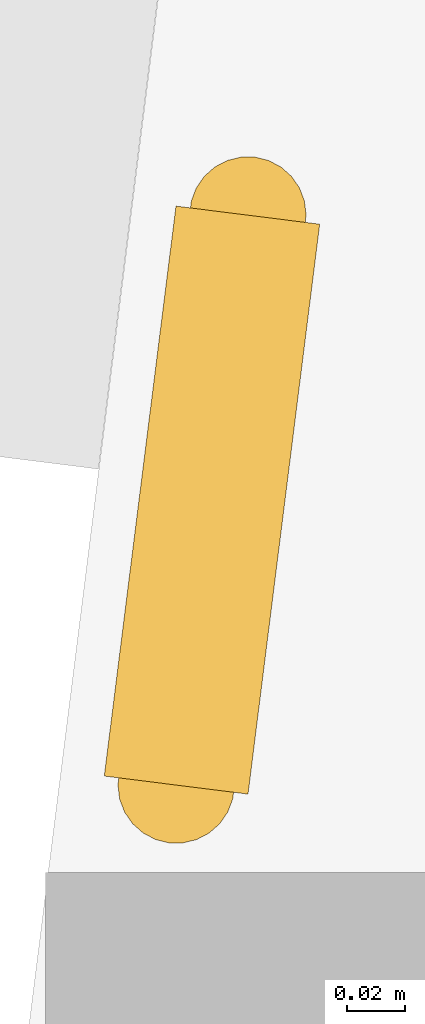
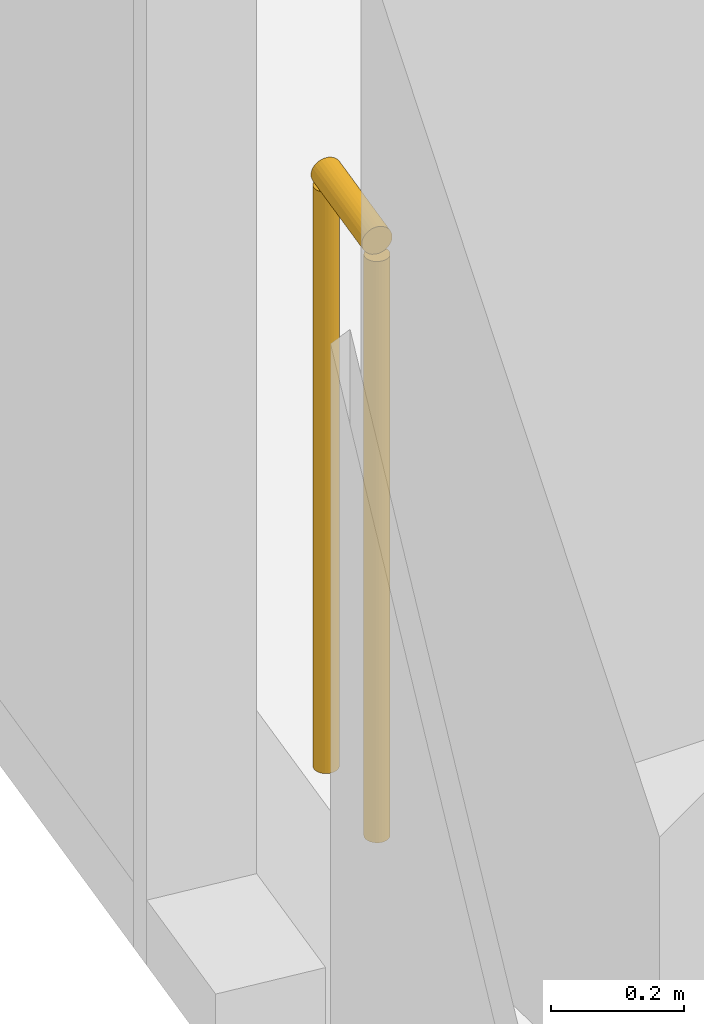
# One storey, part 24 of 27: 1 railing.
"""IFC4 building model written with IfcOpenShell, lengths in metres."""

from ifc_helpers import new_model, si_unit, direction, frame, origin, origin_2d, place, context, subcontext, project, spatial, circle, extrude, material, type_object, element, save


model = new_model("IFC4")

# Units and contexts
model_context = context("Model", 3, precision=1e-05, world=origin(), true_north=direction((0.0, 1.0)))
body_context = subcontext(model_context, "Body", "Model", "MODEL_VIEW")
ifc_project = project(units=[si_unit("LENGTHUNIT", "METRE"), si_unit("AREAUNIT", "SQUARE_METRE"), si_unit("VOLUMEUNIT", "CUBIC_METRE"), si_unit("PLANEANGLEUNIT", "RADIAN"), si_unit("MASSUNIT", "GRAM", prefix="KILO")], contexts=[model_context])

# Site, building, storey
site_placement = place(None, origin())
site = spatial("IfcSite", under=ifc_project, at=site_placement, CompositionType="ELEMENT")
building_placement = place(site_placement, origin())
building = spatial("IfcBuilding", under=site, at=building_placement, Name="Orlundy Tower", CompositionType="ELEMENT")
storey_placement = place(building_placement, frame((0.0, 0.0, 192.10009765625)))
storey = spatial("IfcBuildingStorey", under=building, at=storey_placement, Name="L50", CompositionType="ELEMENT", Elevation=192.10009765625)

# Railing
ifc_material = material(Name="Stainless steel bronze finish", Category="steel")
railing_type = type_object("IfcRailingType", Name="TG1 terrace guard", PredefinedType="GUARDRAIL", material=ifc_material)
railing_placement = place(storey_placement, frame((-24.947021484375, -38.407958984375, 0.0)))
element("IfcRailing", 1, at=railing_placement, inside=storey, type_object=railing_type, Name="Guard TG-L50-E01", PredefinedType="GUARDRAIL", context=body_context, shape_type="SweptSolid", body=[
    extrude(circle(Radius=0.02490234375, at=origin_2d()), frame((0.0, 0.0, 1.09521484375), z_axis=(0.124795064139, 0.99218253964, 0.0), x_axis=(-0.99218253964, 0.124795064139, 0.0)), (0.0, 0.0, 1.0), 0.197509765625),
    extrude(circle(Radius=0.02001953125, at=origin_2d()), origin(), (0.0, 0.0, 1.0), 1.070068359375),
    extrude(circle(Radius=0.02001953125, at=origin_2d()), frame((0.024658203125, 0.196044921875, 0.0)), (0.0, 0.0, 1.0), 1.070068359375),
])

save(model, "model.ifc")
